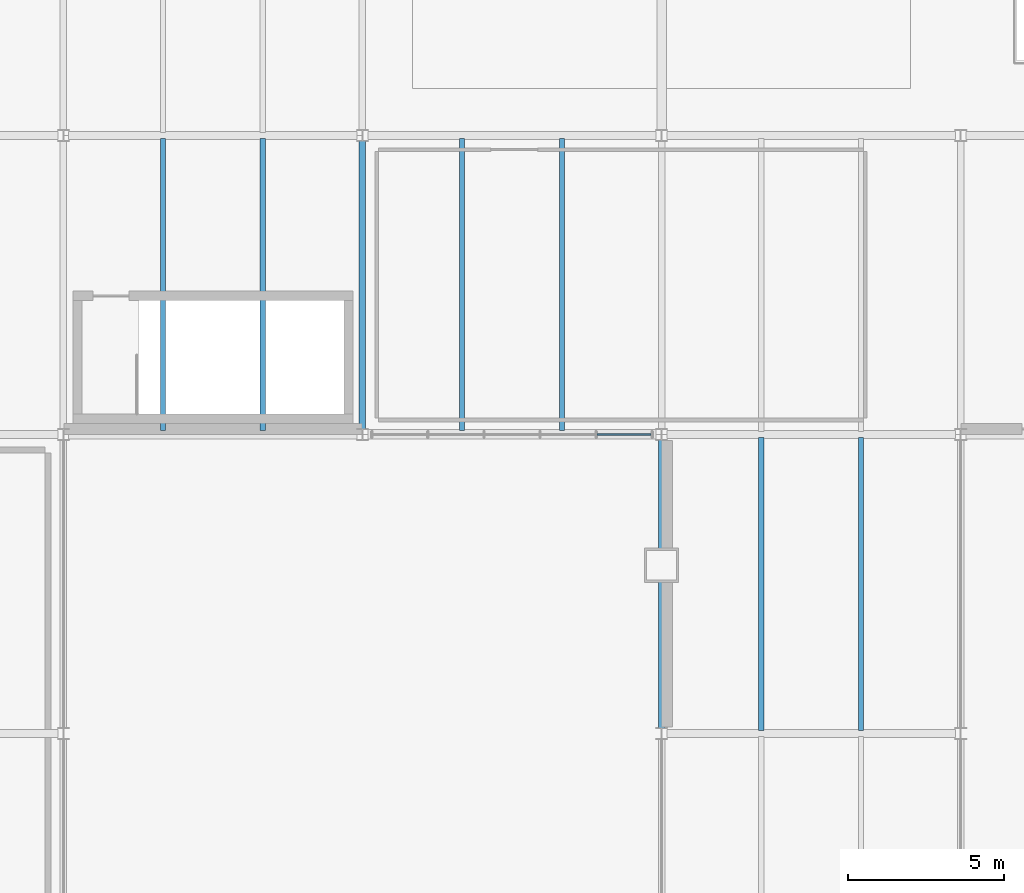
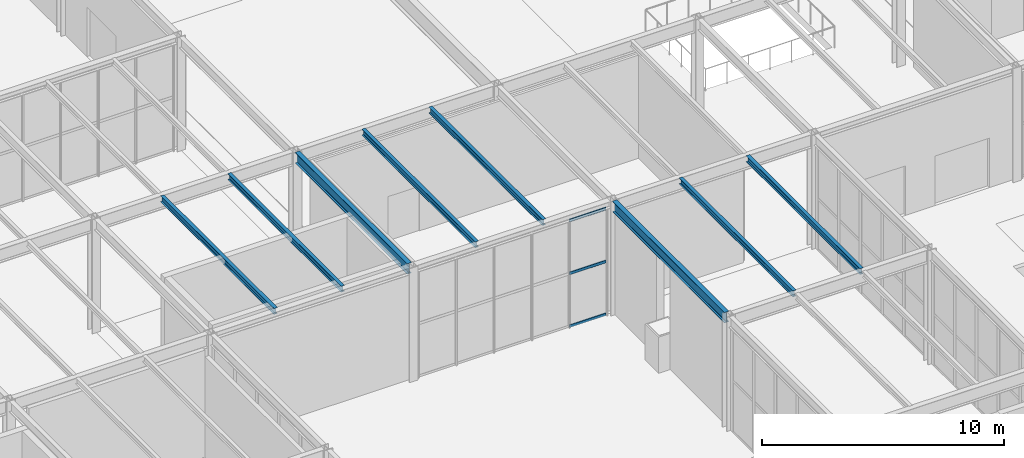
# One storey, part 56 of 142: 8 beams, 3 members, 1 element without a shape of its own.
"""IFC4 building model written with IfcOpenShell, lengths in metres."""

from ifc_helpers import new_model, si_unit, direction, frame, origin, origin_2d, place, context, subcontext, project, spatial, hollow_rectangle, i_section, extrude, material, material_profile, profile_set, type_object, element, aggregate, save


model = new_model("IFC4")

# Units and contexts
model_context = context("Model", 3, precision=1e-05, world=origin(), true_north=direction((0.0, 1.0)))
body_context = subcontext(model_context, "Body", "Model", "MODEL_VIEW")
ifc_project = project(units=[si_unit("LENGTHUNIT", "METRE"), si_unit("AREAUNIT", "SQUARE_METRE"), si_unit("VOLUMEUNIT", "CUBIC_METRE"), si_unit("PLANEANGLEUNIT", "RADIAN"), si_unit("MASSUNIT", "GRAM", prefix="KILO")], contexts=[model_context])

# Site, building, storey
site_placement = place(None, origin())
site = spatial("IfcSite", under=ifc_project, at=site_placement, CompositionType="ELEMENT")
building_placement = place(site_placement, origin())
building = spatial("IfcBuilding", under=site, at=building_placement, Name="Coralgate Yard Interchange", CompositionType="ELEMENT")
storey_placement = place(building_placement, origin())
storey = spatial("IfcBuildingStorey", under=building, at=storey_placement, Name="L00", CompositionType="ELEMENT", Elevation=0.0)

# Beams
ifc_material_1 = material(Name="Structural steel S355J2", Category="steel")
ifc_material_profile_1 = material_profile(ifc_material_1, i_section(OverallWidth=0.209228515625, OverallDepth=0.533203125, WebThickness=0.010009765625, FlangeThickness=0.015625, FilletRadius=0.0126953125, at=origin_2d()), Name="UB 533x210x92")
ifc_profile_set_1 = profile_set([ifc_material_profile_1], Name="Structural steel S355J2")
beam_type_1 = type_object("IfcBeamType", Name="BM-SB-1", PredefinedType="BEAM", material=ifc_profile_set_1)
for number, where, z_axis, x_axis, name in (
    (1, (38.39990234375, 38.56689453125, 5.4833984375), (0.0, 1.0, 0.0), (-1.0, 0.0, 0.0), "L00 primary grid girder X4 Y4-5"),
    (2, (48.0, 28.966796875, 5.4833984375), (0.0, 1.0, 0.0), (-1.0, 0.0, 0.0), "L00 primary grid girder X5 Y3-4"),
):
    element("IfcBeam", number, at=place(storey_placement, frame(where, z_axis=z_axis, x_axis=x_axis)), inside=storey, type_object=beam_type_1, Name=name, PredefinedType="BEAM", context=body_context, shape_type="SweptSolid", body=[
        extrude(i_section(OverallWidth=0.209228515625, OverallDepth=0.533203125, WebThickness=0.010009765625, FlangeThickness=0.015625, FilletRadius=0.0126953125, at=origin_2d()), origin(), (0.0, 0.0, 1.0), 9.266357421875),
    ])
ifc_material_profile_2 = material_profile(ifc_material_1, i_section(OverallWidth=0.1650390625, OverallDepth=0.303466796875, WebThickness=0.006103515625, FlangeThickness=0.01025390625, FilletRadius=0.0087890625, at=origin_2d()), Name="UB 305x165x40")
ifc_profile_set_2 = profile_set([ifc_material_profile_2], Name="Structural steel S355J2")
beam_type_2 = type_object("IfcBeamType", Name="BM-SJ-1", PredefinedType="JOIST", material=ifc_profile_set_2)
for number, where, z_axis, x_axis, name in (
    (3, (32.0, 38.52001953125, 5.598388671875), (0.0, 1.0, 0.0), (-1.0, 0.0, 0.0), "L00 composite floor joist 3-4-1"),
    (4, (35.199951171875, 38.52001953125, 5.598388671875), (0.0, 1.0, 0.0), (-1.0, 0.0, 0.0), "L00 composite floor joist 3-4-2"),
    (5, (41.60009765625, 38.52001953125, 5.598388671875), (0.0, 1.0, 0.0), (-1.0, 0.0, 0.0), "L00 composite floor joist 4-4-1"),
    (6, (44.800048828125, 38.52001953125, 5.598388671875), (0.0, 1.0, 0.0), (-1.0, 0.0, 0.0), "L00 composite floor joist 4-4-2"),
):
    element("IfcBeam", number, at=place(storey_placement, frame(where, z_axis=z_axis, x_axis=x_axis)), inside=storey, type_object=beam_type_2, Name=name, PredefinedType="JOIST", context=body_context, shape_type="SweptSolid", body=[
        extrude(i_section(OverallWidth=0.1650390625, OverallDepth=0.303466796875, WebThickness=0.006103515625, FlangeThickness=0.01025390625, FilletRadius=0.0087890625, at=origin_2d()), origin(), (0.0, 0.0, 1.0), 9.383056640625),
    ])
for number, where, z_axis, x_axis, name in (
    (7, (51.199951171875, 28.896728515625, 5.598388671875), (0.0, 1.0, 0.0), (-1.0, 0.0, 0.0), "L00 composite floor joist 5-3-1"),
    (8, (54.39990234375, 28.896728515625, 5.598388671875), (0.0, 1.0, 0.0), (-1.0, 0.0, 0.0), "L00 composite floor joist 5-3-2"),
):
    element("IfcBeam", number, at=place(storey_placement, frame(where, z_axis=z_axis, x_axis=x_axis)), inside=storey, type_object=beam_type_2, Name=name, PredefinedType="JOIST", context=body_context, shape_type="SweptSolid", body=[
        extrude(i_section(OverallWidth=0.1650390625, OverallDepth=0.303466796875, WebThickness=0.006103515625, FlangeThickness=0.01025390625, FilletRadius=0.0087890625, at=origin_2d()), origin(), (0.0, 0.0, 1.0), 9.40625),
    ])

# Curtain wall, members
ifc_material_2 = material(Name="Anodised coastal aluminium and solar-control low-E glass", Category="aluminium")
curtain_wall_type = type_object("IfcCurtainWallType", Name="CW-CW-L00-A", PredefinedType="NOTDEFINED", material=ifc_material_2)
curtain_wall_placement = place(storey_placement, origin())
curtain_wall = element("IfcCurtainWall", 9, at=curtain_wall_placement, inside=storey, type_object=curtain_wall_type, Name="L00 unitised curtain wall CW-L00-S-04-04", PredefinedType="NOTDEFINED")
ifc_material_3 = material(Name="Anodised coastal aluminium 6063-T6", Category="aluminium")
ifc_material_profile_3 = material_profile(ifc_material_3, hollow_rectangle(XDim=0.06005859375, YDim=0.139892578125, WallThickness=0.00341796875, InnerFilletRadius=0.00341796875, OuterFilletRadius=0.007080078125, at=origin_2d()), Name="ALU 60x140x3.5")
ifc_profile_set_3 = profile_set([ifc_material_profile_3], Name="Anodised coastal aluminium 6063-T6")
member_type = type_object("IfcMemberType", Name="MB-TRN-140", PredefinedType="USERDEFINED", material=ifc_profile_set_3)
member_1_placement = place(storey_placement, frame((47.669921875, 38.39990234375, 0.034912109375), z_axis=(-1.0, 0.0, 0.0), x_axis=(0.0, -1.0, 0.0)))
member_1 = element("IfcMember", 10, at=member_1_placement, type_object=member_type, Name="CW-L00-S-04-04 horizontal transom 1-1", ObjectType="TRANSOM", PredefinedType="USERDEFINED", context=body_context, shape_type="SweptSolid", body=[
    extrude(hollow_rectangle(XDim=0.06005859375, YDim=0.139892578125, WallThickness=0.00341796875, InnerFilletRadius=0.00341796875, OuterFilletRadius=0.007080078125, at=origin_2d()), origin(), (0.0, 0.0, 1.0), 1.739990234375),
])
member_2_placement = place(storey_placement, frame((47.669921875, 38.39990234375, 2.699951171875), z_axis=(-1.0, 0.0, 0.0), x_axis=(0.0, -1.0, 0.0)))
member_2 = element("IfcMember", 11, at=member_2_placement, type_object=member_type, Name="CW-L00-S-04-04 horizontal transom 1-2", ObjectType="TRANSOM", PredefinedType="USERDEFINED", context=body_context, shape_type="SweptSolid", body=[
    extrude(hollow_rectangle(XDim=0.06005859375, YDim=0.139892578125, WallThickness=0.00341796875, InnerFilletRadius=0.00341796875, OuterFilletRadius=0.007080078125, at=origin_2d()), origin(), (0.0, 0.0, 1.0), 1.739990234375),
])
member_3_placement = place(storey_placement, frame((47.669921875, 38.39990234375, 5.364990234375), z_axis=(-1.0, 0.0, 0.0), x_axis=(0.0, -1.0, 0.0)))
member_3 = element("IfcMember", 12, at=member_3_placement, type_object=member_type, Name="CW-L00-S-04-04 horizontal transom 1-3", ObjectType="TRANSOM", PredefinedType="USERDEFINED", context=body_context, shape_type="SweptSolid", body=[
    extrude(hollow_rectangle(XDim=0.06005859375, YDim=0.139892578125, WallThickness=0.00341796875, InnerFilletRadius=0.00341796875, OuterFilletRadius=0.007080078125, at=origin_2d()), origin(), (0.0, 0.0, 1.0), 1.739990234375),
])
aggregate(curtain_wall, [member_1, member_2, member_3])

save(model, "model.ifc")
